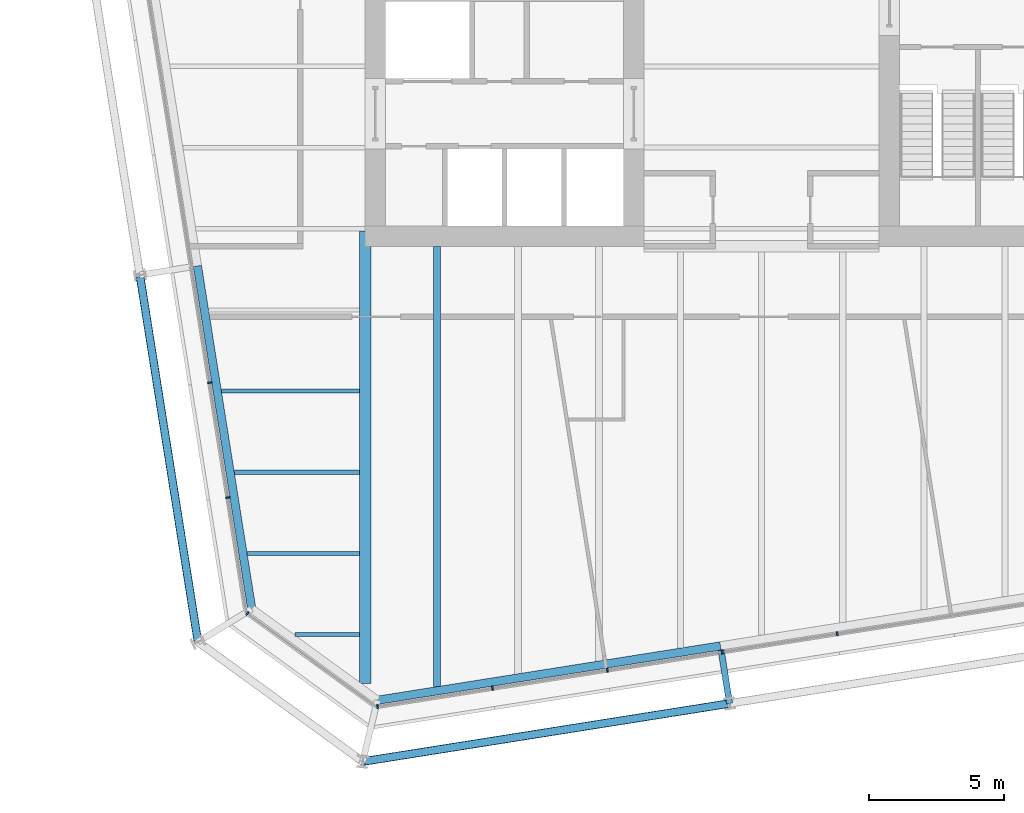
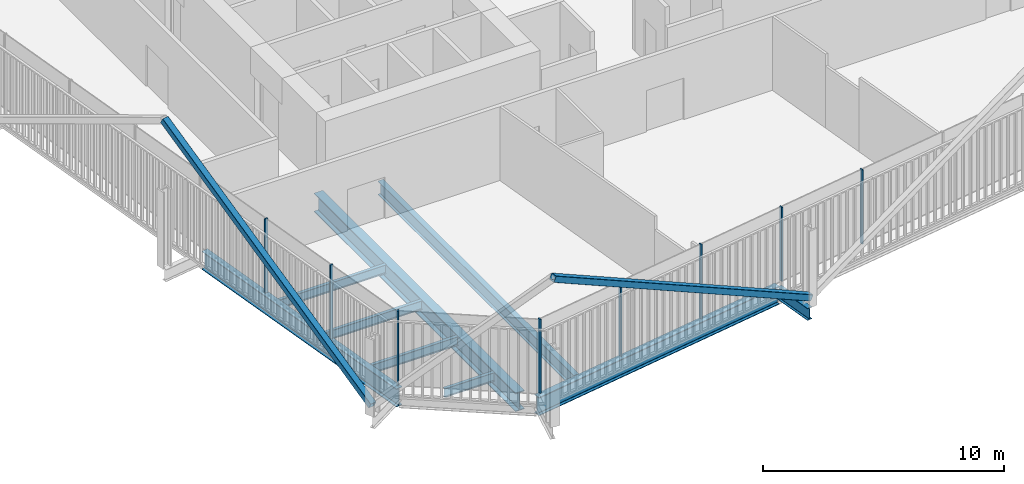
# One storey, part 2 of 22: 10 members, 9 beams, 3 elements without a shape of their own.
"""IFC4 building model written with IfcOpenShell, lengths in metres."""

from ifc_helpers import new_model, si_unit, direction, frame, origin, origin_2d, place, context, subcontext, project, spatial, rectangle, hollow_rectangle, i_section, extrude, material, layer, layer_set, material_profile, profile_set, type_object, element, aggregate, save


model = new_model("IFC4")

# Units and contexts
model_context = context("Model", 3, precision=1e-05, world=origin(), true_north=direction((0.0, 1.0)))
body_context = subcontext(model_context, "Body", "Model", "MODEL_VIEW")
ifc_project = project(units=[si_unit("LENGTHUNIT", "METRE"), si_unit("AREAUNIT", "SQUARE_METRE"), si_unit("VOLUMEUNIT", "CUBIC_METRE"), si_unit("PLANEANGLEUNIT", "RADIAN"), si_unit("MASSUNIT", "GRAM", prefix="KILO")], contexts=[model_context])

# Site, building, storey
site_placement = place(None, origin())
site = spatial("IfcSite", under=ifc_project, at=site_placement, CompositionType="ELEMENT")
building_placement = place(site_placement, origin())
building = spatial("IfcBuilding", under=site, at=building_placement, Name="Millrace Tower", CompositionType="ELEMENT")
storey_placement = place(building_placement, frame((0.0, 0.0, 180.0)))
storey = spatial("IfcBuildingStorey", under=building, at=storey_placement, Name="L40", CompositionType="ELEMENT", Elevation=180.0)

# Curtain wall, member
ifc_material_1 = material(Name="Aluminium and glass", Category="aluminium")
ifc_layer = layer(ifc_material_1, 0.14990234375)
ifc_layer_set = layer_set([ifc_layer], Name="Aluminium and glass")
curtain_wall_type = type_object("IfcCurtainWallType", Name="CW-1 office vision curtain wall", PredefinedType="NOTDEFINED", material=ifc_layer_set)
placement = place(storey_placement, origin())
curtain_wall_1 = element("IfcCurtainWall", 1, at=placement, inside=storey, type_object=curtain_wall_type, Name="Curtain wall C-F01 L40", PredefinedType="NOTDEFINED")
ifc_material_2 = material(Name="Aluminium", Category="aluminium")
ifc_material_profile_1 = material_profile(ifc_material_2, rectangle(XDim=0.06494140625, YDim=0.14990234375, at=origin_2d()))
ifc_profile_set_1 = profile_set([ifc_material_profile_1], Name="Aluminium")
member_type_1 = type_object("IfcMemberType", Name="CW-1 office vision curtain wall mullion", PredefinedType="MULLION", material=ifc_profile_set_1)
member_1_placement = place(storey_placement, frame((-19.00146484375, -23.2177734375, 0.139892578125), z_axis=(0.0, 0.0, 1.0), x_axis=(0.809016981623, -0.587785269844, 0.0)))
member_1 = element("IfcMember", 2, at=member_1_placement, type_object=member_type_1, Name="CW1 mullion C-F01.1", PredefinedType="MULLION", context=body_context, shape_type="SweptSolid", body=[
    extrude(rectangle(XDim=0.06494140625, YDim=0.14990234375, at=origin_2d()), origin(), (0.0, 0.0, 1.0), 3.760009765625),
])
aggregate(curtain_wall_1, [member_1])

# Curtain wall, members
curtain_wall_2 = element("IfcCurtainWall", 3, at=placement, inside=storey, type_object=curtain_wall_type, Name="Curtain wall C-F02 L40", PredefinedType="NOTDEFINED")
member_2_placement = place(storey_placement, frame((-14.191650390625, -26.65673828125, 0.139892578125), z_axis=(0.0, 0.0, 1.0), x_axis=(0.98768833929, 0.15643447328, 0.0)))
member_2 = element("IfcMember", 4, at=member_2_placement, type_object=member_type_1, Name="CW1 mullion C-F02.1", PredefinedType="MULLION", context=body_context, shape_type="SweptSolid", body=[
    extrude(rectangle(XDim=0.06494140625, YDim=0.14990234375, at=origin_2d()), origin(), (0.0, 0.0, 1.0), 3.760009765625),
])
member_3_placement = place(storey_placement, frame((-9.944580078125, -25.98388671875, 0.139892578125), z_axis=(0.0, 0.0, 1.0), x_axis=(0.98768833929, 0.15643447328, 0.0)))
member_3 = element("IfcMember", 5, at=member_3_placement, type_object=member_type_1, Name="CW1 mullion C-F02.2", PredefinedType="MULLION", context=body_context, shape_type="SweptSolid", body=[
    extrude(rectangle(XDim=0.06494140625, YDim=0.14990234375, at=origin_2d()), origin(), (0.0, 0.0, 1.0), 3.760009765625),
])
member_4_placement = place(storey_placement, frame((-5.697509765625, -25.311279296875, 0.139892578125), z_axis=(0.0, 0.0, 1.0), x_axis=(0.98768833929, 0.15643447328, 0.0)))
member_4 = element("IfcMember", 6, at=member_4_placement, type_object=member_type_1, Name="CW1 mullion C-F02.3", PredefinedType="MULLION", context=body_context, shape_type="SweptSolid", body=[
    extrude(rectangle(XDim=0.06494140625, YDim=0.14990234375, at=origin_2d()), origin(), (0.0, 0.0, 1.0), 3.760009765625),
])
member_5_placement = place(storey_placement, frame((-1.450439453125, -24.638671875, 0.139892578125), z_axis=(0.0, 0.0, 1.0), x_axis=(0.98768833929, 0.15643447328, 0.0)))
member_5 = element("IfcMember", 7, at=member_5_placement, type_object=member_type_1, Name="CW1 mullion C-F02.4", PredefinedType="MULLION", context=body_context, shape_type="SweptSolid", body=[
    extrude(rectangle(XDim=0.06494140625, YDim=0.14990234375, at=origin_2d()), origin(), (0.0, 0.0, 1.0), 3.760009765625),
])
member_6_placement = place(storey_placement, frame((2.796630859375, -23.966064453125, 0.139892578125), z_axis=(0.0, 0.0, 1.0), x_axis=(0.98768833929, 0.15643447328, 0.0)))
member_6 = element("IfcMember", 8, at=member_6_placement, type_object=member_type_1, Name="CW1 mullion C-F02.5", PredefinedType="MULLION", context=body_context, shape_type="SweptSolid", body=[
    extrude(rectangle(XDim=0.06494140625, YDim=0.14990234375, at=origin_2d()), origin(), (0.0, 0.0, 1.0), 3.760009765625),
])
aggregate(curtain_wall_2, [member_2, member_3, member_4, member_5, member_6])

curtain_wall_3 = element("IfcCurtainWall", 9, at=placement, inside=storey, type_object=curtain_wall_type, Name="Curtain wall C-F08 L40", PredefinedType="NOTDEFINED")
member_7_placement = place(storey_placement, frame((-20.39794921875, -14.687744140625, 0.139892578125), z_axis=(0.0, 0.0, 1.0), x_axis=(0.15643447328, -0.98768833929, 0.0)))
member_7 = element("IfcMember", 10, at=member_7_placement, type_object=member_type_1, Name="CW1 mullion C-F08.8", PredefinedType="MULLION", context=body_context, shape_type="SweptSolid", body=[
    extrude(rectangle(XDim=0.06494140625, YDim=0.14990234375, at=origin_2d()), origin(), (0.0, 0.0, 1.0), 3.760009765625),
])
member_8_placement = place(storey_placement, frame((-19.725341796875, -18.934814453125, 0.139892578125), z_axis=(0.0, 0.0, 1.0), x_axis=(0.15643447328, -0.98768833929, 0.0)))
member_8 = element("IfcMember", 11, at=member_8_placement, type_object=member_type_1, Name="CW1 mullion C-F08.9", PredefinedType="MULLION", context=body_context, shape_type="SweptSolid", body=[
    extrude(rectangle(XDim=0.06494140625, YDim=0.14990234375, at=origin_2d()), origin(), (0.0, 0.0, 1.0), 3.760009765625),
])
aggregate(curtain_wall_3, [member_7, member_8])

# Members
ifc_material_3 = material(Name="Steel ASTM A500 Grade C", Category="steel")
ifc_material_profile_2 = material_profile(ifc_material_3, hollow_rectangle(XDim=0.3046875, YDim=0.3046875, WallThickness=0.0126953125, InnerFilletRadius=0.00634765625, OuterFilletRadius=0.01904296875, at=origin_2d()))
ifc_profile_set_2 = profile_set([ifc_material_profile_2], Name="Steel ASTM A500 Grade C")
member_type_2 = type_object("IfcMemberType", Name="Exoskeleton brace HSS12x12x1/2", PredefinedType="BRACE", material=ifc_profile_set_2)
member_9_placement = place(storey_placement, frame((-1.181396484375, -26.545166015625, 0.39990234375), z_axis=(-0.879910131664, -0.139353430287, 0.454245287992), x_axis=(0.15642281023, -0.987690186465, 0.0)))
element("IfcMember", 12, at=member_9_placement, inside=storey, type_object=member_type_2, Name="BRC-C-L40-02", PredefinedType="BRACE", context=body_context, shape_type="SweptSolid", body=[
    extrude(hollow_rectangle(XDim=0.3046875, YDim=0.3046875, WallThickness=0.0126953125, InnerFilletRadius=0.00634765625, OuterFilletRadius=0.01904296875, at=origin_2d()), origin(), (0.0, 0.0, 1.0), 15.41015625),
])
member_10_placement = place(storey_placement, frame((-20.829345703125, -24.26904296875, 0.39990234375), z_axis=(-0.139370908249, 0.879904612171, 0.454250617407), x_axis=(-0.987687003601, -0.156442906258, 0.0)))
element("IfcMember", 13, at=member_10_placement, inside=storey, type_object=member_type_2, Name="BRC-C-L40-16", PredefinedType="BRACE", context=body_context, shape_type="SweptSolid", body=[
    extrude(hollow_rectangle(XDim=0.3046875, YDim=0.3046875, WallThickness=0.0126953125, InnerFilletRadius=0.00634765625, OuterFilletRadius=0.01904296875, at=origin_2d()), origin(), (0.0, 0.0, 1.0), 15.409912109375),
])

# Beams
ifc_material_4 = material(Name="Steel ASTM A992 Grade 50", Category="steel")
ifc_material_profile_3 = material_profile(ifc_material_4, i_section(OverallWidth=0.15234375, OverallDepth=0.449462890625, WebThickness=0.007568359375, FlangeThickness=0.0107421875, FilletRadius=0.01025390625, at=origin_2d()))
ifc_profile_set_3 = profile_set([ifc_material_profile_3], Name="Steel ASTM A992 Grade 50")
beam_type_1 = type_object("IfcBeamType", Name="Floor beam W18x35", PredefinedType="JOIST", material=ifc_profile_set_3)
beam_1_placement = place(storey_placement, frame((-19.01123046875, -21.0, -0.384765625), z_axis=(1.0, 0.0, 0.0), x_axis=(0.0, 1.0, 0.0)))
element("IfcBeam", 14, at=beam_1_placement, inside=storey, type_object=beam_type_1, Name="BM-C-L40-S1-S002", PredefinedType="JOIST", context=body_context, shape_type="SweptSolid", body=[
    extrude(i_section(OverallWidth=0.15234375, OverallDepth=0.449462890625, WebThickness=0.007568359375, FlangeThickness=0.0107421875, FilletRadius=0.01025390625, at=origin_2d()), origin(), (0.0, 0.0, 1.0), 4.151611328125),
])
beam_2_placement = place(storey_placement, frame((-19.486328125, -18.0, -0.384765625), z_axis=(1.0, 0.0, 0.0), x_axis=(0.0, 1.0, 0.0)))
element("IfcBeam", 15, at=beam_2_placement, inside=storey, type_object=beam_type_1, Name="BM-C-L40-S1-S004", PredefinedType="JOIST", context=body_context, shape_type="SweptSolid", body=[
    extrude(i_section(OverallWidth=0.15234375, OverallDepth=0.449462890625, WebThickness=0.007568359375, FlangeThickness=0.0107421875, FilletRadius=0.01025390625, at=origin_2d()), origin(), (0.0, 0.0, 1.0), 4.626708984375),
])
beam_3_placement = place(storey_placement, frame((-19.96142578125, -15.0, -0.384765625), z_axis=(1.0, 0.0, 0.0), x_axis=(0.0, 1.0, 0.0)))
element("IfcBeam", 16, at=beam_3_placement, inside=storey, type_object=beam_type_1, Name="BM-C-L40-S1-S006", PredefinedType="JOIST", context=body_context, shape_type="SweptSolid", body=[
    extrude(i_section(OverallWidth=0.15234375, OverallDepth=0.449462890625, WebThickness=0.007568359375, FlangeThickness=0.0107421875, FilletRadius=0.01025390625, at=origin_2d()), origin(), (0.0, 0.0, 1.0), 5.101806640625),
])
beam_4_placement = place(storey_placement, frame((-17.246337890625, -24.0, -0.384765625), z_axis=(1.0, 0.0, 0.0), x_axis=(0.0, 1.0, 0.0)))
element("IfcBeam", 17, at=beam_4_placement, inside=storey, type_object=beam_type_1, Name="BM-C-L40-S1-S001", PredefinedType="JOIST", context=body_context, shape_type="SweptSolid", body=[
    extrude(i_section(OverallWidth=0.15234375, OverallDepth=0.449462890625, WebThickness=0.007568359375, FlangeThickness=0.0107421875, FilletRadius=0.01025390625, at=origin_2d()), origin(), (0.0, 0.0, 1.0), 2.38671875),
])
ifc_material_5 = material(Name="Steel ASTM A992 Grade 50", Category="steel")
ifc_material_profile_4 = material_profile(ifc_material_5, i_section(OverallWidth=0.256591796875, OverallDepth=0.693359375, WebThickness=0.014404296875, FlangeThickness=0.023681640625, FilletRadius=0.01513671875, at=origin_2d()))
ifc_profile_set_4 = profile_set([ifc_material_profile_4], Name="Steel ASTM A992 Grade 50")
beam_type_2 = type_object("IfcBeamType", Name="Floor beam W27x114", PredefinedType="JOIST", material=ifc_profile_set_4)
beam_5_placement = place(storey_placement, frame((-12.0, -25.92236328125, -0.506591796875), z_axis=(0.0, 1.0, 0.0), x_axis=(-1.0, 0.0, 0.0)))
element("IfcBeam", 18, at=beam_5_placement, inside=storey, type_object=beam_type_2, Name="BM-C-L40-S1-S040", PredefinedType="JOIST", context=body_context, shape_type="SweptSolid", body=[
    extrude(i_section(OverallWidth=0.256591796875, OverallDepth=0.693359375, WebThickness=0.014404296875, FlangeThickness=0.023681640625, FilletRadius=0.01513671875, at=origin_2d()), origin(), (0.0, 0.0, 1.0), 16.2724609375),
])
ifc_material_6 = material(Name="Steel ASTM A992 Grade 50", Category="steel")
ifc_material_profile_5 = material_profile(ifc_material_6, i_section(OverallWidth=0.424072265625, OverallDepth=0.947509765625, WebThickness=0.02392578125, FlangeThickness=0.042724609375, FilletRadius=0.024169921875, at=origin_2d()))
ifc_profile_set_5 = profile_set([ifc_material_profile_5], Name="Steel ASTM A992 Grade 50")
beam_type_3 = type_object("IfcBeamType", Name="Girder medium span W36x302", PredefinedType="BEAM", material=ifc_profile_set_5)
beam_6_placement = place(storey_placement, frame((-14.64990234375, -25.806640625, -0.6337890625), z_axis=(0.0, 1.0, 0.0), x_axis=(-1.0, 0.0, 0.0)))
element("IfcBeam", 19, at=beam_6_placement, inside=storey, type_object=beam_type_3, Name="BM-C-L40-S1-G058", PredefinedType="BEAM", context=body_context, shape_type="SweptSolid", body=[
    extrude(i_section(OverallWidth=0.424072265625, OverallDepth=0.947509765625, WebThickness=0.02392578125, FlangeThickness=0.042724609375, FilletRadius=0.024169921875, at=origin_2d()), origin(), (0.0, 0.0, 1.0), 16.720703125),
])
ifc_material_7 = material(Name="Steel ASTM A992 Grade 50", Category="steel")
ifc_material_profile_6 = material_profile(ifc_material_7, i_section(OverallWidth=0.23046875, OverallDepth=0.6171875, WebThickness=0.01318359375, FlangeThickness=0.022216796875, FilletRadius=0.012939453125, at=origin_2d()))
ifc_profile_set_6 = profile_set([ifc_material_profile_6], Name="Steel ASTM A992 Grade 50")
beam_type_4 = type_object("IfcBeamType", Name="Link beam W24x94", PredefinedType="BEAM", material=ifc_profile_set_6)
beam_7_placement = place(storey_placement, frame((-1.494384765625, -24.569580078125, -0.468505859375), z_axis=(0.156476509441, -0.987681680499, 0.0), x_axis=(0.987681680499, 0.156476509441, 0.0)))
element("IfcBeam", 20, at=beam_7_placement, inside=storey, type_object=beam_type_4, Name="LNK-C-L40-S1-15", PredefinedType="BEAM", context=body_context, shape_type="SweptSolid", body=[
    extrude(i_section(OverallWidth=0.23046875, OverallDepth=0.6171875, WebThickness=0.01318359375, FlangeThickness=0.022216796875, FilletRadius=0.012939453125, at=origin_2d()), origin(), (0.0, 0.0, 1.0), 2.000244140625),
])
ifc_material_8 = material(Name="Steel ASTM A992 Grade 50", Category="steel")
ifc_material_profile_7 = material_profile(ifc_material_8, i_section(OverallWidth=0.307373046875, OverallDepth=0.927001953125, WebThickness=0.01953125, FlangeThickness=0.031982421875, FilletRadius=0.01904296875, at=origin_2d()))
ifc_profile_set_7 = profile_set([ifc_material_profile_7], Name="Steel ASTM A992 Grade 50")
beam_type_5 = type_object("IfcBeamType", Name="Ring beam medium span W36x194", PredefinedType="SPANDREL", material=ifc_profile_set_7)
beam_8_placement = place(storey_placement, frame((-18.841796875, -23.051025390625, -0.62353515625), z_axis=(-0.156436246498, 0.987688058438, 0.0), x_axis=(-0.987688058438, -0.156436246498, 0.0)))
element("IfcBeam", 21, at=beam_8_placement, inside=storey, type_object=beam_type_5, Name="RNG-C-L40-S1-01", PredefinedType="SPANDREL", context=body_context, shape_type="SweptSolid", body=[
    extrude(i_section(OverallWidth=0.307373046875, OverallDepth=0.927001953125, WebThickness=0.01953125, FlangeThickness=0.031982421875, FilletRadius=0.01904296875, at=origin_2d()), origin(), (0.0, 0.0, 1.0), 12.836181640625),
])
beam_9_placement = place(storey_placement, frame((-1.518310546875, -24.41796875, -0.62353515625), z_axis=(-0.987688523879, -0.15643330783, 0.0), x_axis=(0.15643330783, -0.987688523879, 0.0)))
element("IfcBeam", 22, at=beam_9_placement, inside=storey, type_object=beam_type_5, Name="RNG-C-L40-S1-15", PredefinedType="SPANDREL", context=body_context, shape_type="SweptSolid", body=[
    extrude(i_section(OverallWidth=0.307373046875, OverallDepth=0.927001953125, WebThickness=0.01953125, FlangeThickness=0.031982421875, FilletRadius=0.01904296875, at=origin_2d()), origin(), (0.0, 0.0, 1.0), 12.83642578125),
])

save(model, "model.ifc")
